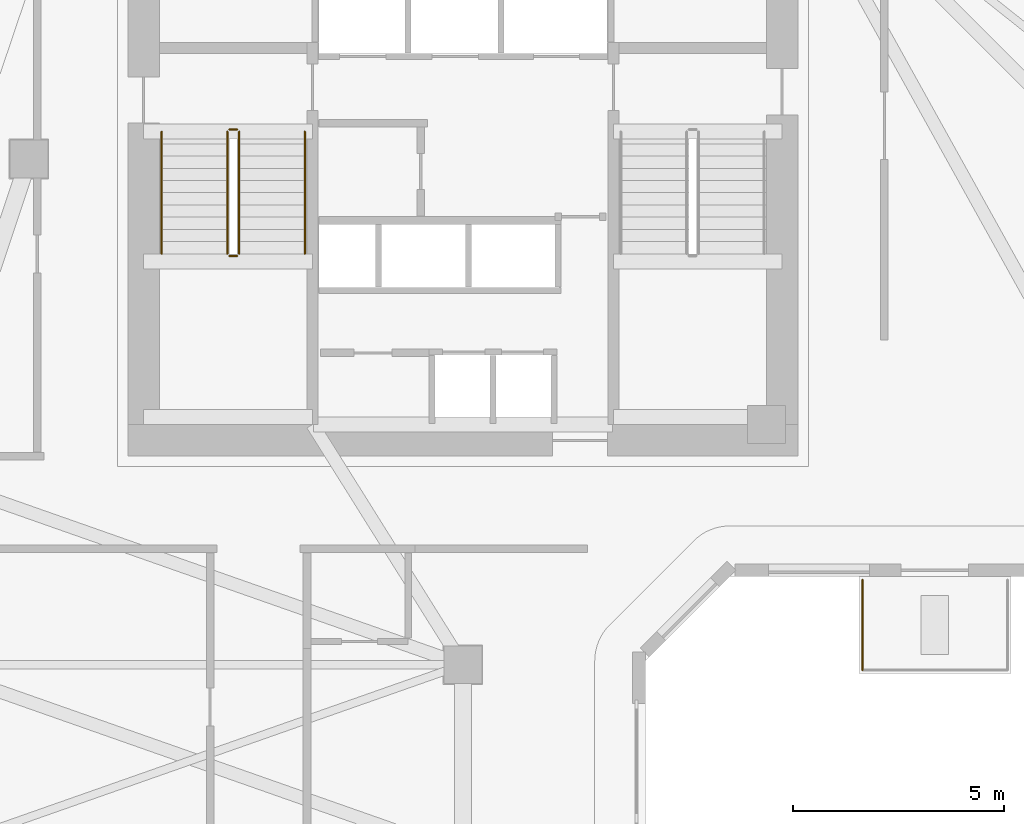
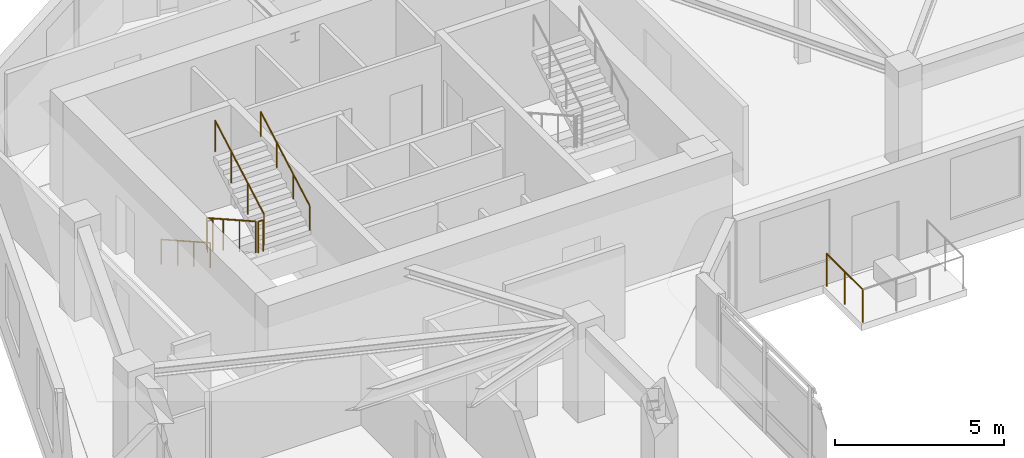
# One storey, part 8 of 10: 7 railings.
"""IFC4 building model written with IfcOpenShell, lengths in metres."""

from ifc_helpers import new_model, si_unit, direction, frame, origin, origin_2d, place, context, subcontext, project, spatial, circle, extrude, material, type_object, element, save


model = new_model("IFC4")

# Units and contexts
model_context = context("Model", 3, precision=1e-05, world=origin(), true_north=direction((0.0, 1.0)))
body_context = subcontext(model_context, "Body", "Model", "MODEL_VIEW")
ifc_project = project(units=[si_unit("LENGTHUNIT", "METRE"), si_unit("AREAUNIT", "SQUARE_METRE"), si_unit("VOLUMEUNIT", "CUBIC_METRE"), si_unit("PLANEANGLEUNIT", "RADIAN"), si_unit("MASSUNIT", "GRAM", prefix="KILO")], contexts=[model_context])

# Site, building, storey
site_placement = place(None, origin())
site = spatial("IfcSite", under=ifc_project, at=site_placement, CompositionType="ELEMENT")
building_placement = place(site_placement, origin())
building = spatial("IfcBuilding", under=site, at=building_placement, Name="Calvemar Wedge Station Tower", CompositionType="ELEMENT")
storey_placement = place(building_placement, frame((0.0, 0.0, 139.39990234375)))
storey = spatial("IfcBuildingStorey", under=building, at=storey_placement, Name="L34", CompositionType="ELEMENT", Elevation=139.39990234375)

# Railings
ifc_material_1 = material(Name="Stainless steel AISI 316L", Category="steel")
railing_type_1 = type_object("IfcRailingType", Name="GRD-TERR-1200", PredefinedType="GUARDRAIL", material=ifc_material_1)
railing_1_placement = place(storey_placement, frame((33.280029296875, 28.3720703125, 0.0)))
element("IfcRailing", 1, at=railing_1_placement, inside=storey, type_object=railing_type_1, Name="Storey L34 Spiral Terrace Guard 4", PredefinedType="GUARDRAIL", context=body_context, shape_type="SweptSolid", body=[
    extrude(circle(Radius=0.02392578125, at=origin_2d()), frame((0.0, 0.0, 1.17578125), z_axis=(0.0, 1.0, 0.0), x_axis=(-1.0, 0.0, 0.0)), (0.0, 0.0, 1.0), 2.139892578125),
    extrude(circle(Radius=0.02099609375, at=origin_2d()), origin(), (0.0, 0.0, 1.0), 1.15185546875),
    extrude(circle(Radius=0.02099609375, at=origin_2d()), frame((0.0, 1.06982421875, 0.0)), (0.0, 0.0, 1.0), 1.15185546875),
    extrude(circle(Radius=0.02099609375, at=origin_2d()), frame((0.0, 2.139892578125, 0.0)), (0.0, 0.0, 1.0), 1.15185546875),
])
railing_type_2 = type_object("IfcRailingType", Name="RL-HANDRAIL-920", PredefinedType="HANDRAIL", material=ifc_material_1)
railing_2_placement = place(storey_placement, frame((16.64990234375, 41.14990234375, 0.163818359375)))
element("IfcRailing", 2, at=railing_2_placement, inside=storey, type_object=railing_type_2, Name="L34 ST-C1 stair handrail 1", PredefinedType="HANDRAIL", context=body_context, shape_type="SweptSolid", body=[
    extrude(circle(Radius=0.02392578125, at=origin_2d()), frame((0.0, 0.0, 0.89599609375), z_axis=(0.0, -0.870928581787, 0.491409610636), x_axis=(1.0, 0.0, 0.0)), (0.0, 0.0, 1.0), 3.32958984375),
    extrude(circle(Radius=0.02099609375, at=origin_2d()), origin(), (0.0, 0.0, 1.0), 0.871826171875),
    extrude(circle(Radius=0.02099609375, at=origin_2d()), frame((0.0, -0.966552734375, 0.54541015625)), (0.0, 0.0, 1.0), 0.871826171875),
    extrude(circle(Radius=0.02099609375, at=origin_2d()), frame((0.0, -1.933349609375, 1.0908203125)), (0.0, 0.0, 1.0), 0.871826171875),
    extrude(circle(Radius=0.02099609375, at=origin_2d()), frame((0.0, -2.89990234375, 1.63623046875)), (0.0, 0.0, 1.0), 0.871826171875),
])
railing_3_placement = place(storey_placement, frame((20.050048828125, 38.25, 1.963623046875)))
element("IfcRailing", 3, at=railing_3_placement, inside=storey, type_object=railing_type_2, Name="L34 ST-C1 stair handrail 2", PredefinedType="HANDRAIL", context=body_context, shape_type="SweptSolid", body=[
    extrude(circle(Radius=0.02392578125, at=origin_2d()), frame((0.0, 0.0, 0.89599609375), z_axis=(0.0, 0.870897200241, 0.491465224214), x_axis=(-1.0, 0.0, 0.0)), (0.0, 0.0, 1.0), 3.329833984375),
    extrude(circle(Radius=0.02099609375, at=origin_2d()), origin(), (0.0, 0.0, 1.0), 0.871826171875),
    extrude(circle(Radius=0.02099609375, at=origin_2d()), frame((0.0, 0.966552734375, 0.54541015625)), (0.0, 0.0, 1.0), 0.871826171875),
    extrude(circle(Radius=0.02099609375, at=origin_2d()), frame((0.0, 1.933349609375, 1.091064453125)), (0.0, 0.0, 1.0), 0.871826171875),
    extrude(circle(Radius=0.02099609375, at=origin_2d()), frame((0.0, 2.89990234375, 1.636474609375)), (0.0, 0.0, 1.0), 0.871826171875),
])
ifc_material_2 = material(Name="Painted steel guardrail ASTM A500 Grade C", Category="steel")
railing_type_3 = type_object("IfcRailingType", Name="RL-STAIR-GUARD-1150", PredefinedType="GUARDRAIL", material=ifc_material_2)
railing_4_placement = place(storey_placement, frame((18.2099609375, 41.14990234375, 0.163818359375)))
element("IfcRailing", 4, at=railing_4_placement, inside=storey, type_object=railing_type_3, Name="L34 ST-C1 stair guard 1", PredefinedType="GUARDRAIL", context=body_context, shape_type="SweptSolid", body=[
    extrude(circle(Radius=0.02392578125, at=origin_2d()), frame((0.0, 0.0, 1.1259765625), z_axis=(0.0, -0.870928581787, 0.491409610636), x_axis=(1.0, 0.0, 0.0)), (0.0, 0.0, 1.0), 3.32958984375),
    extrude(circle(Radius=0.02099609375, at=origin_2d()), origin(), (0.0, 0.0, 1.0), 1.101806640625),
    extrude(circle(Radius=0.02099609375, at=origin_2d()), frame((0.0, -0.966552734375, 0.54541015625)), (0.0, 0.0, 1.0), 1.101806640625),
    extrude(circle(Radius=0.02099609375, at=origin_2d()), frame((0.0, -1.933349609375, 1.0908203125)), (0.0, 0.0, 1.0), 1.101806640625),
    extrude(circle(Radius=0.02099609375, at=origin_2d()), frame((0.0, -2.89990234375, 1.63623046875)), (0.0, 0.0, 1.0), 1.101806640625),
])
railing_5_placement = place(storey_placement, frame((18.260009765625, 38.199951171875, 1.800048828125)))
element("IfcRailing", 5, at=railing_5_placement, inside=storey, type_object=railing_type_3, Name="L34 ST-C1 stair guard 2", PredefinedType="GUARDRAIL", context=body_context, shape_type="SweptSolid", body=[
    extrude(circle(Radius=0.02392578125, at=origin_2d()), frame((0.0, 0.0, 1.1259765625), z_axis=(1.0, 0.0, 0.0), x_axis=(0.0, 1.0, 0.0)), (0.0, 0.0, 1.0), 0.179931640625),
    extrude(circle(Radius=0.02099609375, at=origin_2d()), origin(), (0.0, 0.0, 1.0), 1.101806640625),
    extrude(circle(Radius=0.02099609375, at=origin_2d()), frame((0.179931640625, 0.0, 0.0)), (0.0, 0.0, 1.0), 1.101806640625),
])
railing_6_placement = place(storey_placement, frame((18.489990234375, 38.25, 1.963623046875)))
element("IfcRailing", 6, at=railing_6_placement, inside=storey, type_object=railing_type_3, Name="L34 ST-C1 stair guard 3", PredefinedType="GUARDRAIL", context=body_context, shape_type="SweptSolid", body=[
    extrude(circle(Radius=0.02392578125, at=origin_2d()), frame((0.0, 0.0, 1.1259765625), z_axis=(0.0, 0.870897200241, 0.491465224214), x_axis=(-1.0, 0.0, 0.0)), (0.0, 0.0, 1.0), 3.329833984375),
    extrude(circle(Radius=0.02099609375, at=origin_2d()), origin(), (0.0, 0.0, 1.0), 1.101806640625),
    extrude(circle(Radius=0.02099609375, at=origin_2d()), frame((0.0, 0.966552734375, 0.54541015625)), (0.0, 0.0, 1.0), 1.101806640625),
    extrude(circle(Radius=0.02099609375, at=origin_2d()), frame((0.0, 1.933349609375, 1.091064453125)), (0.0, 0.0, 1.0), 1.101806640625),
    extrude(circle(Radius=0.02099609375, at=origin_2d()), frame((0.0, 2.89990234375, 1.636474609375)), (0.0, 0.0, 1.0), 1.101806640625),
])
railing_7_placement = place(storey_placement, frame((18.260009765625, 41.199951171875, 0.0)))
element("IfcRailing", 7, at=railing_7_placement, inside=storey, type_object=railing_type_3, Name="L34 ST-C1 stair guard 4", PredefinedType="GUARDRAIL", context=body_context, shape_type="SweptSolid", body=[
    extrude(circle(Radius=0.02392578125, at=origin_2d()), frame((0.0, 0.0, 1.1259765625), z_axis=(1.0, 0.0, 0.0), x_axis=(0.0, 1.0, 0.0)), (0.0, 0.0, 1.0), 0.179931640625),
    extrude(circle(Radius=0.02099609375, at=origin_2d()), origin(), (0.0, 0.0, 1.0), 1.101806640625),
    extrude(circle(Radius=0.02099609375, at=origin_2d()), frame((0.179931640625, 0.0, 0.0)), (0.0, 0.0, 1.0), 1.101806640625),
])

save(model, "model.ifc")
